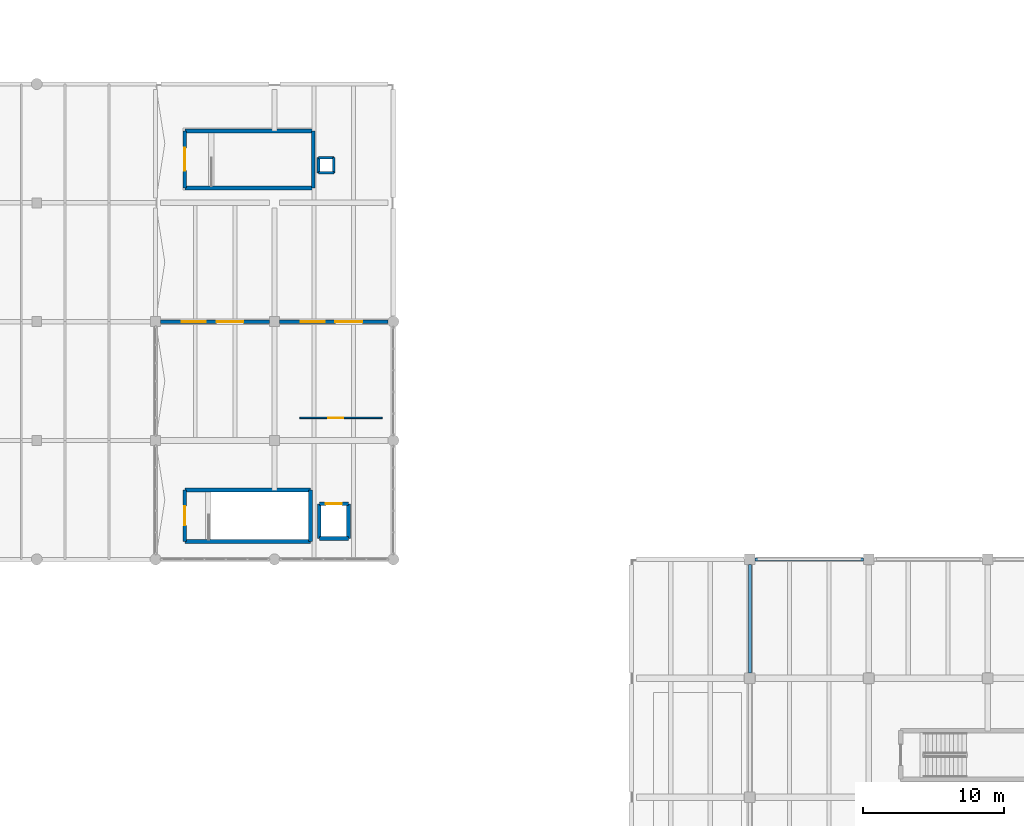
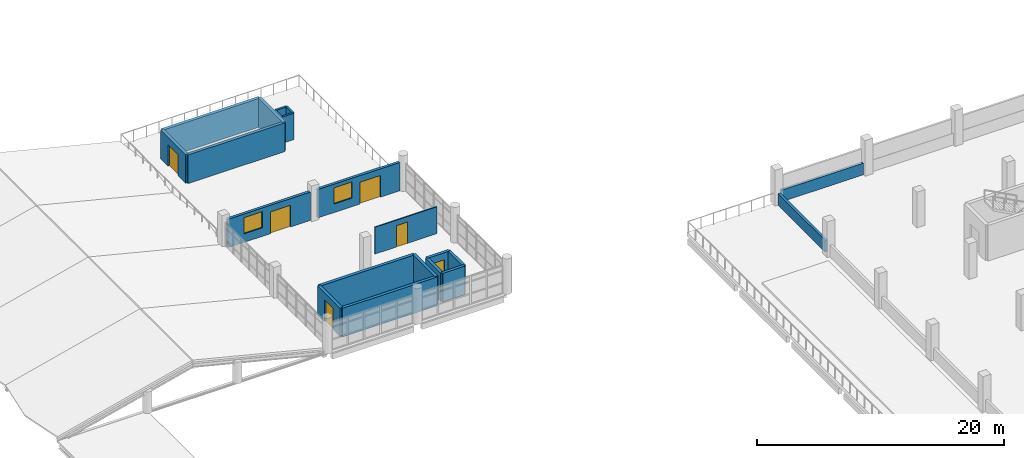
# One storey, part 83 of 95: 21 walls, 6 doors, 2 windows, 8 openings.
"""IFC4 building model written with IfcOpenShell, lengths in metres."""

import ifcopenshell
import ifcopenshell.guid

model = None  # the IFC model being written
_history = None  # IfcOwnerHistory: only IFC2X3 demands one
_inside = {}  # id of a spatial element -> (the spatial element, [elements in it])
_under = {}  # id of a project, library or spatial element -> (it, [spatial elements below it])
_declared = {}  # id of a project -> (the project, [libraries it declares])
_typed = {}  # id of a type object -> (the type object, [elements of that type])
_made_of = {}  # id of a material, layer set ... -> (it, [elements and type objects made of it])


def new_model(schema):
    """Start an empty IFC model of exactly this schema.

    Asked for "IFC4X3", IfcOpenShell would pick the latest addendum, in which some entities
    have other attributes; the version numbers below select the first issue.
    IFC2X3 requires an IfcOwnerHistory on every rooted entity: one is made here for all.
    """
    global model, _history
    if schema == "IFC4X3":
        model = ifcopenshell.file(schema_version=(4, 3, 0, 0))
    else:
        model = ifcopenshell.file(schema=schema)
    _inside.clear()
    _under.clear()
    _declared.clear()
    _typed.clear()
    _made_of.clear()
    _history = None
    if model.schema == "IFC2X3":
        org = make("IfcOrganization", Name="unknown")
        user = make(
            "IfcPersonAndOrganization",
            ThePerson=make("IfcPerson", FamilyName="unknown"),
            TheOrganization=org,
        )
        app = make(
            "IfcApplication",
            ApplicationDeveloper=org,
            Version="unknown",
            ApplicationFullName="unknown",
            ApplicationIdentifier="unknown",
        )
        _history = make(
            "IfcOwnerHistory",
            OwningUser=user,
            OwningApplication=app,
            ChangeAction="ADDED",
            CreationDate=0,
        )
    return model


def make(cls, **values):
    """One entity of the class cls with the attributes given. An attribute that is None is left unset."""
    return model.create_entity(
        cls, **{name: value for name, value in values.items() if value is not None}
    )


def rooted(cls, **values):
    """An entity with a GlobalId (a new one), such as an element, a storey or a relation."""
    return make(cls, GlobalId=ifcopenshell.guid.new(), OwnerHistory=_history, **values)


def si_unit(unit_type, name, prefix=None):
    """IfcSIUnit, for example si_unit("LENGTHUNIT", "METRE", prefix="MILLI")."""
    return make("IfcSIUnit", UnitType=unit_type, Prefix=prefix, Name=name)


def assignment(units):
    """IfcUnitAssignment: the units of a project."""
    return None if units is None else make("IfcUnitAssignment", Units=units)


def point(xyz):
    """IfcCartesianPoint."""
    return None if xyz is None else make("IfcCartesianPoint", Coordinates=xyz)


def direction(xyz):
    """IfcDirection."""
    return None if xyz is None else make("IfcDirection", DirectionRatios=xyz)


def frame(location, z_axis=None, x_axis=None):
    """IfcAxis2Placement3D, a coordinate frame: its origin and axes. An axis left out is left unset."""
    return make(
        "IfcAxis2Placement3D",
        Location=point(location),
        Axis=direction(z_axis),
        RefDirection=direction(x_axis),
    )


def frame_2d(location, x_axis=None):
    """IfcAxis2Placement2D, a coordinate frame in the plane: its origin and x axis."""
    return make(
        "IfcAxis2Placement2D", Location=point(location), RefDirection=direction(x_axis)
    )


def origin():
    """The frame at (0, 0, 0) with its axes left unset."""
    return frame((0.0, 0.0, 0.0))


def place(relative_to, where):
    """IfcLocalPlacement: puts the frame where relative to a parent placement (None: the world)."""
    return make(
        "IfcLocalPlacement", PlacementRelTo=relative_to, RelativePlacement=where
    )


def context(
    kind, dimensions, precision=None, world=None, true_north=None, identifier=None
):
    """IfcGeometricRepresentationContext, for example the 3D "Model" context."""
    return make(
        "IfcGeometricRepresentationContext",
        ContextIdentifier=identifier,
        ContextType=kind,
        CoordinateSpaceDimension=dimensions,
        Precision=precision,
        WorldCoordinateSystem=world,
        TrueNorth=true_north,
    )


def subcontext(parent, identifier, kind, view, scale=None):
    """IfcGeometricRepresentationSubContext, for example "Body" below "Model"."""
    return make(
        "IfcGeometricRepresentationSubContext",
        ContextIdentifier=identifier,
        ContextType=kind,
        ParentContext=parent,
        TargetScale=scale,
        TargetView=view,
    )


def project(units=None, contexts=None):
    """IfcProject with its units and contexts."""
    return rooted(
        "IfcProject",
        Name="project",
        RepresentationContexts=contexts,
        UnitsInContext=assignment(units),
    )


def spatial(cls, under=None, at=None, **own):
    """A site, building, storey or space (cls), placed at a placement, below another one or the project."""
    s = rooted(cls, ObjectPlacement=at, **own)
    if under is not None:
        _under.setdefault(under.id(), (under, []))[1].append(s)
    return s


def profile(cls, at=None, kind="AREA", **sizes):
    """A parametric profile (cls). Its sizes go by their IFC names, for example OverallWidth=200.0."""
    return make(cls, ProfileType=kind, Position=at, **sizes)


def rectangle(**sizes):
    """IfcRectangleProfileDef."""
    return profile("IfcRectangleProfileDef", **sizes)


def extrude(swept, where, along, depth):
    """IfcExtrudedAreaSolid: the profile swept, set in the frame where, extruded along a direction by depth."""
    return make(
        "IfcExtrudedAreaSolid",
        SweptArea=swept,
        Position=where,
        ExtrudedDirection=direction(along),
        Depth=depth,
    )


def shape(context_of_items, identifier, shape_type, items):
    """IfcShapeRepresentation: the items that make up one representation, for example the "Body"."""
    return make(
        "IfcShapeRepresentation",
        ContextOfItems=context_of_items,
        RepresentationIdentifier=identifier,
        RepresentationType=shape_type,
        Items=items,
    )


def material(Name=None, Category=None):
    """IfcMaterial."""
    return make("IfcMaterial", Name=Name, Category=Category)


def layer(
    of_material, thickness, ventilated=None, Name=None, Category=None, Priority=None
):
    """IfcMaterialLayer: one layer of a wall or slab, of a material (None: an air gap)."""
    return make(
        "IfcMaterialLayer",
        Material=of_material,
        LayerThickness=thickness,
        IsVentilated=ventilated,
        Name=Name,
        Category=Category,
        Priority=Priority,
    )


def layer_set(layers, Name=None):
    """IfcMaterialLayerSet."""
    return make("IfcMaterialLayerSet", MaterialLayers=layers, LayerSetName=Name)


def made_of(thing, what):
    """Note that an element or type object is made of a material, layer set ...; save() writes the relation."""
    if what is not None:
        _made_of.setdefault(what.id(), (what, []))[1].append(thing)
    return thing


def type_object(cls, material=None, **own):
    """A type object (cls), such as IfcWallType, which elements share."""
    return made_of(rooted(cls, **own), material)


def element(
    cls,
    number,
    at=None,
    inside=None,
    cuts=None,
    type_object=None,
    material=None,
    context=None,
    identifier="Body",
    shape_type=None,
    held_by="IfcProductDefinitionShape",
    body=None,
    shapes=None,
    **own,
):
    """One element of the class cls, such as IfcWall. Its Tag is "e" and its number.

    at: its placement. inside: the storey or other place that contains it. cuts: it is an
    opening in that element (IfcRelVoidsElement). A single representation is given by context,
    identifier, shape_type and body (its items); several are given by shapes. held_by: the class
    of the entity that holds the representations. save() writes the other relations.
    """
    e = rooted(cls, Tag="e%d" % number, ObjectPlacement=at, **own)
    if body is not None:
        shapes = [shape(context, identifier, shape_type, body)]
    if shapes is not None:
        e.Representation = make(held_by, Representations=shapes)
    if inside is not None:
        _inside.setdefault(inside.id(), (inside, []))[1].append(e)
    if cuts is not None:
        rooted(
            "IfcRelVoidsElement", RelatingBuildingElement=cuts, RelatedOpeningElement=e
        )
    if type_object is not None:
        _typed.setdefault(type_object.id(), (type_object, []))[1].append(e)
    return made_of(e, material)


def fill(opening, filler):
    """IfcRelFillsElement: the door or window that sits in an opening."""
    return rooted(
        "IfcRelFillsElement",
        RelatingOpeningElement=opening,
        RelatedBuildingElement=filler,
    )


def aggregate(whole, parts):
    """IfcRelAggregates: a whole, such as a stair, and the parts it consists of."""
    return rooted("IfcRelAggregates", RelatingObject=whole, RelatedObjects=parts)


def save(model, path):
    """Write the relations noted so far, then the file.

    IfcRelAggregates (storeys below a building ...), IfcRelContainedInSpatialStructure (elements
    in a storey), IfcRelDefinesByType, IfcRelAssociatesMaterial and IfcRelDeclares: one each for
    every whole, place, type object, material and project.
    """
    for whole, parts in _under.values():
        aggregate(whole, parts)
    for where, things in _inside.values():
        rooted(
            "IfcRelContainedInSpatialStructure",
            RelatedElements=things,
            RelatingStructure=where,
        )
    for kind, things in _typed.values():
        rooted("IfcRelDefinesByType", RelatedObjects=things, RelatingType=kind)
    for what, things in _made_of.values():
        rooted("IfcRelAssociatesMaterial", RelatedObjects=things, RelatingMaterial=what)
    for by, libraries in _declared.values():
        rooted("IfcRelDeclares", RelatingContext=by, RelatedDefinitions=libraries)
    model.write(path)


model = new_model("IFC4")

# Units and contexts
model_context = context("Model", 3, precision=1e-05, world=origin(), true_north=direction((0.0, 1.0)))
body_context = subcontext(model_context, "Body", "Model", "MODEL_VIEW")
ifc_project = project(units=[si_unit("LENGTHUNIT", "METRE"), si_unit("AREAUNIT", "SQUARE_METRE"), si_unit("VOLUMEUNIT", "CUBIC_METRE"), si_unit("PLANEANGLEUNIT", "RADIAN"), si_unit("MASSUNIT", "GRAM", prefix="KILO"), si_unit("THERMODYNAMICTEMPERATUREUNIT", "KELVIN"), si_unit("POWERUNIT", "WATT")], contexts=[model_context])

# Site, building, storey
site_placement = place(None, origin())
site = spatial("IfcSite", under=ifc_project, at=site_placement, CompositionType="ELEMENT")
building_placement = place(site_placement, origin())
building = spatial("IfcBuilding", under=site, at=building_placement, Name="Mavoryth Pier Ferry Terminal", CompositionType="ELEMENT")
storey_placement = place(building_placement, frame((0.0, 0.0, 9.60009765625)))
storey = spatial("IfcBuildingStorey", under=building, at=storey_placement, Name="L02", CompositionType="ELEMENT", Elevation=9.60009765625)

# Walls
ifc_material_1 = material(Name="Concrete C35/45", Category="concrete")
ifc_layer_1 = layer(ifc_material_1, 0.260009765625, Name="Concrete C35/45", Category="concrete")
ifc_layer_set_1 = layer_set([ifc_layer_1], Name="Concrete C35/45 - CoreWall-LiftShaft-RC260")
wall_type_1 = type_object("IfcWallType", Name="CoreWall-LiftShaft-RC260", PredefinedType="SHEAR", material=ifc_layer_set_1)
wall_1_placement = place(storey_placement, frame((87.169921875, 73.8701171875, 0.0), z_axis=(0.0, 0.0, 1.0), x_axis=(1.0, 0.0, 0.0)))
element("IfcWall", 1, at=wall_1_placement, inside=storey, type_object=wall_type_1, Name="Interior Wall IW-L02-0097", PredefinedType="SHEAR", context=body_context, shape_type="SweptSolid", body=[
    extrude(rectangle(XDim=2.06005859375, YDim=0.260009765625, at=frame_2d((1.030029296875, 0.0))), origin(), (0.0, 0.0, 1.0), 2.83984375),
])
for number, where, z_axis, x_axis, name in (
    (2, (89.22998046875, 73.8701171875, 0.0), (0.0, 0.0, 1.0), (0.0, 1.0, 0.0), "Interior Wall IW-L02-0098"),
    (3, (87.169921875, 76.330078125, 0.0), (0.0, 0.0, 1.0), (0.0, -1.0, 0.0), "Interior Wall IW-L02-0099"),
):
    element("IfcWall", number, at=place(storey_placement, frame(where, z_axis=z_axis, x_axis=x_axis)), inside=storey, type_object=wall_type_1, Name=name, PredefinedType="SHEAR", context=body_context, shape_type="SweptSolid", body=[
        extrude(rectangle(XDim=2.4599609375, YDim=0.260009765625, at=frame_2d((1.22998046875, 0.0))), origin(), (0.0, 0.0, 1.0), 2.83984375),
    ])

# Wall, opening, door
wall_2_placement = place(storey_placement, frame((87.169921875, 76.330078125, 0.0), z_axis=(0.0, 0.0, 1.0), x_axis=(1.0, 0.0, 0.0)))
wall_2 = element("IfcWall", 4, at=wall_2_placement, inside=storey, type_object=wall_type_1, Name="Interior Wall IW-L02-0100", PredefinedType="SHEAR", context=body_context, shape_type="SweptSolid", body=[
    extrude(rectangle(XDim=2.06005859375, YDim=0.260009765625, at=frame_2d((1.030029296875, 0.0))), origin(), (0.0, 0.0, 1.0), 2.83984375),
])
opening_1_placement = place(wall_2_placement, frame((0.4599609375, 0.0, 0.0)))
opening_1 = element("IfcOpeningElement", 5, at=opening_1_placement, cuts=wall_2, Name="Opening LD02", PredefinedType="OPENING", context=body_context, shape_type="SweptSolid", body=[
    extrude(rectangle(XDim=1.139892578125, YDim=2.139892578125, at=frame_2d((0.56982421875, 1.06982421875))), frame((0.0, 0.139892578125, 0.0), z_axis=(0.0, -1.0, 0.0), x_axis=(1.0, 0.0, 0.0)), (0.0, 0.0, 1.0), 0.280029296875),
])
ifc_material_2 = material(Name="Brushed Stainless Steel Lift Landing Door", Category="steel")
door_type_1 = type_object("IfcDoorType", Name="Door-LiftLanding-1140x2140", OperationType="NOTDEFINED", PredefinedType="DOOR", material=ifc_material_2)
door_1_placement = place(opening_1_placement, origin())
door_1 = element("IfcDoor", 6, at=door_1_placement, inside=storey, type_object=door_type_1, Name="Lift LF05 Landing Door L02", OperationType="DOUBLE_DOOR_SLIDING", OverallHeight=2.139892578125, OverallWidth=1.139892578125, PredefinedType="DOOR", context=body_context, shape_type="SweptSolid", body=[
    extrude(rectangle(XDim=1.139892578125, YDim=2.139892578125, at=frame_2d((0.56982421875, 1.06982421875))), frame((0.0, 0.02490234375, 0.0), z_axis=(0.0, -1.0, 0.0), x_axis=(1.0, 0.0, 0.0)), (0.0, 0.0, 1.0), 0.050048828125),
])
fill(opening_1, door_1)

# Walls
ifc_material_3 = material(Name="Concrete C40/50", Category="concrete")
ifc_layer_2 = layer(ifc_material_3, 0.280029296875, Name="Concrete C40/50", Category="concrete")
ifc_layer_set_2 = layer_set([ifc_layer_2], Name="Concrete C40/50 - CoreWall-Shear-RC280")
wall_type_2 = type_object("IfcWallType", Name="CoreWall-Shear-RC280", PredefinedType="SHEAR", material=ifc_layer_set_2)
for number, where, z_axis, x_axis, name in (
    (7, (77.659912109375, 73.659912109375, 0.0), (0.0, 0.0, 1.0), (1.0, 0.0, 0.0), "Interior Wall IW-L02-0085"),
    (8, (77.659912109375, 77.2900390625, 0.0), (0.0, 0.0, 1.0), (1.0, 0.0, 0.0), "Interior Wall IW-L02-0086"),
):
    element("IfcWall", number, at=place(storey_placement, frame(where, z_axis=z_axis, x_axis=x_axis)), inside=storey, type_object=wall_type_2, Name=name, PredefinedType="SHEAR", context=body_context, shape_type="SweptSolid", body=[
        extrude(rectangle(XDim=8.880126953125, YDim=0.280029296875, at=frame_2d((4.43994140625, 0.0))), origin(), (0.0, 0.0, 1.0), 2.83984375),
    ])

# Wall, opening, door
wall_3_placement = place(storey_placement, frame((77.659912109375, 77.2900390625, 0.0), z_axis=(0.0, 0.0, 1.0), x_axis=(0.0, -1.0, 0.0)))
wall_3 = element("IfcWall", 9, at=wall_3_placement, inside=storey, type_object=wall_type_2, Name="Interior Wall IW-L02-0087", PredefinedType="SHEAR", context=body_context, shape_type="SweptSolid", body=[
    extrude(rectangle(XDim=3.630126953125, YDim=0.280029296875, at=frame_2d((1.81494140625, 0.0))), origin(), (0.0, 0.0, 1.0), 2.83984375),
])
opening_2_placement = place(wall_3_placement, frame((1.135009765625, 0.0, 0.0)))
opening_2 = element("IfcOpeningElement", 10, at=opening_2_placement, cuts=wall_3, Name="Opening ID02-022", PredefinedType="OPENING", context=body_context, shape_type="SweptSolid", body=[
    extrude(rectangle(XDim=1.360107421875, YDim=2.14990234375, at=frame_2d((0.68017578125, 1.074951171875))), frame((0.0, 0.14990234375, 0.0), z_axis=(0.0, -1.0, 0.0), x_axis=(1.0, 0.0, 0.0)), (0.0, 0.0, 1.0), 0.300048828125),
])
ifc_material_4 = material(Name="Painted Galvanised Steel Fire Door", Category="steel")
door_type_2 = type_object("IfcDoorType", Name="Door-StairFire-1360x2150", OperationType="NOTDEFINED", PredefinedType="DOOR", material=ifc_material_4)
door_2_placement = place(opening_2_placement, origin())
door_2 = element("IfcDoor", 11, at=door_2_placement, inside=storey, type_object=door_type_2, Name="Core C2B Stair Exit Door L02", OperationType="SINGLE_SWING_LEFT", OverallHeight=2.14990234375, OverallWidth=1.360107421875, PredefinedType="DOOR", context=body_context, shape_type="SweptSolid", body=[
    extrude(rectangle(XDim=1.360107421875, YDim=2.14990234375, at=frame_2d((0.68017578125, 1.074951171875))), frame((0.0, 0.02490234375, 0.0), z_axis=(0.0, -1.0, 0.0), x_axis=(1.0, 0.0, 0.0)), (0.0, 0.0, 1.0), 0.050048828125),
])
fill(opening_2, door_2)

# Walls
wall_4_placement = place(storey_placement, frame((86.5400390625, 73.659912109375, 0.0), z_axis=(0.0, 0.0, 1.0), x_axis=(0.0, 1.0, 0.0)))
element("IfcWall", 12, at=wall_4_placement, inside=storey, type_object=wall_type_2, Name="Interior Wall IW-L02-0088", PredefinedType="SHEAR", context=body_context, shape_type="SweptSolid", body=[
    extrude(rectangle(XDim=3.630126953125, YDim=0.280029296875, at=frame_2d((1.81494140625, 0.0))), origin(), (0.0, 0.0, 1.0), 2.83984375),
])
for number, where, z_axis, x_axis, name in (
    (13, (77.659912109375, 98.659912109375, 0.0), (0.0, 0.0, 1.0), (1.0, 0.0, 0.0), "Interior Wall IW-L02-0313"),
    (14, (77.659912109375, 102.68994140625, 0.0), (0.0, 0.0, 1.0), (1.0, 0.0, 0.0), "Interior Wall IW-L02-0314"),
):
    element("IfcWall", number, at=place(storey_placement, frame(where, z_axis=z_axis, x_axis=x_axis)), inside=storey, type_object=wall_type_2, Name=name, PredefinedType="SHEAR", context=body_context, shape_type="SweptSolid", body=[
        extrude(rectangle(XDim=9.080078125, YDim=0.280029296875, at=frame_2d((4.5400390625, 0.0))), origin(), (0.0, 0.0, 1.0), 2.83984375),
    ])

# Wall, opening, door
wall_5_placement = place(storey_placement, frame((77.659912109375, 102.68994140625, 0.0), z_axis=(0.0, 0.0, 1.0), x_axis=(0.0, -1.0, 0.0)))
wall_5 = element("IfcWall", 15, at=wall_5_placement, inside=storey, type_object=wall_type_2, Name="Interior Wall IW-L02-0315", PredefinedType="SHEAR", context=body_context, shape_type="SweptSolid", body=[
    extrude(rectangle(XDim=4.030029296875, YDim=0.280029296875, at=frame_2d((2.01513671875, 0.0))), origin(), (0.0, 0.0, 1.0), 2.83984375),
])
opening_3_placement = place(wall_5_placement, frame((1.215087890625, 0.0, 0.0)))
opening_3 = element("IfcOpeningElement", 16, at=opening_3_placement, cuts=wall_5, Name="Opening ED07-079", PredefinedType="OPENING", context=body_context, shape_type="SweptSolid", body=[
    extrude(rectangle(XDim=1.60009765625, YDim=2.10009765625, at=frame_2d((0.800048828125, 1.050048828125))), frame((0.0, 0.14990234375, 0.0), z_axis=(0.0, -1.0, 0.0), x_axis=(1.0, 0.0, 0.0)), (0.0, 0.0, 1.0), 0.300048828125),
])
ifc_material_5 = material(Name="Thermally Broken Anodised Aluminium and Laminated Glass", Category="aluminium")
door_type_3 = type_object("IfcDoorType", Name="ExtDoor-Terrace-1600x2100", OperationType="NOTDEFINED", PredefinedType="DOOR", material=ifc_material_5)
door_3_placement = place(opening_3_placement, origin())
door_3 = element("IfcDoor", 17, at=door_3_placement, inside=storey, type_object=door_type_3, Name="Feature Stair FS3 Concourse Door L02", OperationType="SINGLE_SWING_LEFT", OverallHeight=2.10009765625, OverallWidth=1.60009765625, PredefinedType="DOOR", context=body_context, shape_type="SweptSolid", body=[
    extrude(rectangle(XDim=1.60009765625, YDim=2.10009765625, at=frame_2d((0.800048828125, 1.050048828125))), frame((0.0, 0.02490234375, 0.0), z_axis=(0.0, -1.0, 0.0), x_axis=(1.0, 0.0, 0.0)), (0.0, 0.0, 1.0), 0.050048828125),
])
fill(opening_3, door_3)

# Walls
wall_6_placement = place(storey_placement, frame((86.739990234375, 98.659912109375, 0.0), z_axis=(0.0, 0.0, 1.0), x_axis=(0.0, 1.0, 0.0)))
element("IfcWall", 18, at=wall_6_placement, inside=storey, type_object=wall_type_2, Name="Interior Wall IW-L02-0316", PredefinedType="SHEAR", context=body_context, shape_type="SweptSolid", body=[
    extrude(rectangle(XDim=4.030029296875, YDim=0.280029296875, at=frame_2d((2.01513671875, 0.0))), origin(), (0.0, 0.0, 1.0), 2.83984375),
])
ifc_layer_3 = layer(ifc_material_3, 0.22998046875, Name="Concrete C40/50", Category="concrete")
ifc_layer_set_3 = layer_set([ifc_layer_3], Name="Concrete C40/50 - ExtWall-CrashUpstand-230")
wall_type_3 = type_object("IfcWallType", Name="ExtWall-CrashUpstand-230", PredefinedType="PARAPET", material=ifc_layer_set_3)
for number, where, z_axis, x_axis, name in (
    (19, (117.97509765625, 72.39990234375, 0.0), (0.0, 0.0, 1.0), (1.0, 0.0, 0.0), "Exterior Wall EW-L02-094"),
    (20, (117.60009765625, 64.375, 0.0), (0.0, 0.0, 1.0), (0.0, 1.0, 0.0), "Exterior Wall EW-L02-116"),
):
    element("IfcWall", number, at=place(storey_placement, frame(where, z_axis=z_axis, x_axis=x_axis)), inside=storey, type_object=wall_type_3, Name=name, PredefinedType="PARAPET", context=body_context, shape_type="SweptSolid", body=[
        extrude(rectangle(XDim=7.64990234375, YDim=0.22998046875, at=frame_2d((3.824951171875, 0.0))), origin(), (0.0, 0.0, 1.0), 1.14990234375),
    ])

# Wall, openings, door, window
ifc_material_6 = material(Name="Insulated Pentelic Limestone-Faced Masonry", Category="masonry")
ifc_layer_4 = layer(ifc_material_6, 0.25, Name="Insulated Pentelic Limestone-Faced Masonry", Category="masonry")
ifc_layer_set_4 = layer_set([ifc_layer_4], Name="Insulated Pentelic Limestone-Faced Masonry - ExtWall-Facade-Masonry250")
wall_type_4 = type_object("IfcWallType", Name="ExtWall-Facade-Masonry250", PredefinedType="SOLIDWALL", material=ifc_layer_set_4)
wall_7_placement = place(storey_placement, frame((83.64990234375, 89.199951171875, 0.0), z_axis=(0.0, 0.0, 1.0), x_axis=(-1.0, 0.0, 0.0)))
wall_7 = element("IfcWall", 21, at=wall_7_placement, inside=storey, type_object=wall_type_4, Name="Exterior Wall EW-L02-030", PredefinedType="SOLIDWALL", context=body_context, shape_type="SweptSolid", body=[
    extrude(rectangle(XDim=7.699951171875, YDim=0.25, at=frame_2d((3.85009765625, 0.0))), origin(), (0.0, 0.0, 1.0), 2.804931640625),
])
opening_4_placement = place(wall_7_placement, frame((1.840087890625, 0.0, 0.0)))
opening_4 = element("IfcOpeningElement", 22, at=opening_4_placement, cuts=wall_7, Name="Opening ED06-014", PredefinedType="OPENING", context=body_context, shape_type="SweptSolid", body=[
    extrude(rectangle(XDim=1.89990234375, YDim=2.14990234375, at=frame_2d((0.949951171875, 1.074951171875))), frame((0.0, 0.135009765625, 0.0), z_axis=(0.0, -1.0, 0.0), x_axis=(1.0, 0.0, 0.0)), (0.0, 0.0, 1.0), 0.27001953125),
])
opening_5_placement = place(wall_7_placement, frame((4.489990234375, 0.0, 0.85009765625)))
opening_5 = element("IfcOpeningElement", 23, at=opening_5_placement, cuts=wall_7, Name="Opening WN08", PredefinedType="OPENING", context=body_context, shape_type="SweptSolid", body=[
    extrude(rectangle(XDim=1.699951171875, YDim=1.60009765625, at=frame_2d((0.85009765625, 0.800048828125))), frame((0.0, 0.135009765625, 0.0), z_axis=(0.0, -1.0, 0.0), x_axis=(1.0, 0.0, 0.0)), (0.0, 0.0, 1.0), 0.27001953125),
])
door_type_4 = type_object("IfcDoorType", Name="ExtDoor-Terrace-1900x2150", OperationType="NOTDEFINED", PredefinedType="DOOR", material=ifc_material_5)
door_4_placement = place(opening_4_placement, origin())
door_4 = element("IfcDoor", 24, at=door_4_placement, inside=storey, type_object=door_type_4, Name="Exterior Pedestrian Exit Door ED06-014", OperationType="DOUBLE_DOOR_SINGLE_SWING", OverallHeight=2.14990234375, OverallWidth=1.89990234375, PredefinedType="DOOR", context=body_context, shape_type="SweptSolid", body=[
    extrude(rectangle(XDim=1.89990234375, YDim=2.14990234375, at=frame_2d((0.949951171875, 1.074951171875))), frame((0.0, 0.02490234375, 0.0), z_axis=(0.0, -1.0, 0.0), x_axis=(1.0, 0.0, 0.0)), (0.0, 0.0, 1.0), 0.050048828125),
])
fill(opening_4, door_4)
ifc_material_7 = material(Name="Thermally Broken Aluminium and Low-E Double Glazing", Category="aluminium")
window_type = type_object("IfcWindowType", Name="Win-Harbour-1700x1600", PartitioningType="DOUBLE_PANEL_VERTICAL", PredefinedType="WINDOW", material=ifc_material_7)
window_1_placement = place(opening_5_placement, origin())
window_1 = element("IfcWindow", 25, at=window_1_placement, inside=storey, type_object=window_type, Name="Exterior Window 20", OverallHeight=1.60009765625, OverallWidth=1.699951171875, PartitioningType="DOUBLE_PANEL_VERTICAL", PredefinedType="WINDOW", context=body_context, shape_type="SweptSolid", body=[
    extrude(rectangle(XDim=1.699951171875, YDim=1.60009765625, at=frame_2d((0.85009765625, 0.800048828125))), frame((0.0, 0.030029296875, 0.0), z_axis=(0.0, -1.0, 0.0), x_axis=(1.0, 0.0, 0.0)), (0.0, 0.0, 1.0), 0.06005859375),
])
fill(opening_5, window_1)

wall_8_placement = place(storey_placement, frame((92.010009765625, 89.199951171875, 0.0), z_axis=(0.0, 0.0, 1.0), x_axis=(-1.0, 0.0, 0.0)))
wall_8 = element("IfcWall", 26, at=wall_8_placement, inside=storey, type_object=wall_type_4, Name="Exterior Wall EW-L02-031", PredefinedType="SOLIDWALL", context=body_context, shape_type="SweptSolid", body=[
    extrude(rectangle(XDim=7.659912109375, YDim=0.25, at=frame_2d((3.830078125, 0.0))), origin(), (0.0, 0.0, 1.0), 2.804931640625),
])
opening_6_placement = place(wall_8_placement, frame((1.800048828125, 0.0, 0.0)))
opening_6 = element("IfcOpeningElement", 27, at=opening_6_placement, cuts=wall_8, Name="Opening ED06-015", PredefinedType="OPENING", context=body_context, shape_type="SweptSolid", body=[
    extrude(rectangle(XDim=1.89990234375, YDim=2.14990234375, at=frame_2d((0.949951171875, 1.074951171875))), frame((0.0, 0.135009765625, 0.0), z_axis=(0.0, -1.0, 0.0), x_axis=(1.0, 0.0, 0.0)), (0.0, 0.0, 1.0), 0.27001953125),
])
opening_7_placement = place(wall_8_placement, frame((4.449951171875, 0.0, 0.85009765625)))
opening_7 = element("IfcOpeningElement", 28, at=opening_7_placement, cuts=wall_8, Name="Opening WN08", PredefinedType="OPENING", context=body_context, shape_type="SweptSolid", body=[
    extrude(rectangle(XDim=1.699951171875, YDim=1.60009765625, at=frame_2d((0.85009765625, 0.800048828125))), frame((0.0, 0.135009765625, 0.0), z_axis=(0.0, -1.0, 0.0), x_axis=(1.0, 0.0, 0.0)), (0.0, 0.0, 1.0), 0.27001953125),
])
door_5_placement = place(opening_6_placement, origin())
door_5 = element("IfcDoor", 29, at=door_5_placement, inside=storey, type_object=door_type_4, Name="Exterior Pedestrian Exit Door ED06-015", OperationType="DOUBLE_DOOR_SINGLE_SWING", OverallHeight=2.14990234375, OverallWidth=1.89990234375, PredefinedType="DOOR", context=body_context, shape_type="SweptSolid", body=[
    extrude(rectangle(XDim=1.89990234375, YDim=2.14990234375, at=frame_2d((0.949951171875, 1.074951171875))), frame((0.0, 0.02490234375, 0.0), z_axis=(0.0, -1.0, 0.0), x_axis=(1.0, 0.0, 0.0)), (0.0, 0.0, 1.0), 0.050048828125),
])
fill(opening_6, door_5)
window_2_placement = place(opening_7_placement, origin())
window_2 = element("IfcWindow", 30, at=window_2_placement, inside=storey, type_object=window_type, Name="Exterior Window 21", OverallHeight=1.60009765625, OverallWidth=1.699951171875, PartitioningType="DOUBLE_PANEL_VERTICAL", PredefinedType="WINDOW", context=body_context, shape_type="SweptSolid", body=[
    extrude(rectangle(XDim=1.699951171875, YDim=1.60009765625, at=frame_2d((0.85009765625, 0.800048828125))), frame((0.0, 0.030029296875, 0.0), z_axis=(0.0, -1.0, 0.0), x_axis=(1.0, 0.0, 0.0)), (0.0, 0.0, 1.0), 0.06005859375),
])
fill(opening_7, window_2)

# Walls
ifc_material_8 = material(Name="Autoclaved Aerated Concrete Blockwork", Category="masonry")
ifc_layer_5 = layer(ifc_material_8, 0.179931640625, Name="Autoclaved Aerated Concrete Blockwork", Category="masonry")
ifc_layer_set_5 = layer_set([ifc_layer_5], Name="Autoclaved Aerated Concrete Blockwork - IntWall-PlantRated-180")
wall_type_5 = type_object("IfcWallType", Name="IntWall-PlantRated-180", PredefinedType="SOLIDWALL", material=ifc_layer_set_5)
wall_9_placement = place(storey_placement, frame((87.110107421875, 99.7099609375, 0.0), z_axis=(0.0, 0.0, 1.0), x_axis=(1.0, 0.0, 0.0)))
element("IfcWall", 31, at=wall_9_placement, inside=storey, type_object=wall_type_5, Name="Interior Wall IW-L02-0381", PredefinedType="SOLIDWALL", context=body_context, shape_type="SweptSolid", body=[
    extrude(rectangle(XDim=1.079833984375, YDim=0.179931640625, at=frame_2d((0.5400390625, 0.0))), origin(), (0.0, 0.0, 1.0), 2.599853515625),
])
wall_10_placement = place(storey_placement, frame((88.18994140625, 99.7099609375, 0.0), z_axis=(0.0, 0.0, 1.0), x_axis=(0.0, 1.0, 0.0)))
element("IfcWall", 32, at=wall_10_placement, inside=storey, type_object=wall_type_5, Name="Interior Wall IW-L02-0382", PredefinedType="SOLIDWALL", context=body_context, shape_type="SweptSolid", body=[
    extrude(rectangle(XDim=1.080078125, YDim=0.179931640625, at=frame_2d((0.5400390625, 0.0))), origin(), (0.0, 0.0, 1.0), 2.599853515625),
])
wall_11_placement = place(storey_placement, frame((88.18994140625, 100.7900390625, 0.0), z_axis=(0.0, 0.0, 1.0), x_axis=(-1.0, 0.0, 0.0)))
element("IfcWall", 33, at=wall_11_placement, inside=storey, type_object=wall_type_5, Name="Interior Wall IW-L02-0383", PredefinedType="SOLIDWALL", context=body_context, shape_type="SweptSolid", body=[
    extrude(rectangle(XDim=1.079833984375, YDim=0.179931640625, at=frame_2d((0.5400390625, 0.0))), origin(), (0.0, 0.0, 1.0), 2.599853515625),
])
wall_12_placement = place(storey_placement, frame((87.110107421875, 100.7900390625, 0.0), z_axis=(0.0, 0.0, 1.0), x_axis=(0.0, -1.0, 0.0)))
element("IfcWall", 34, at=wall_12_placement, inside=storey, type_object=wall_type_5, Name="Interior Wall IW-L02-0384", PredefinedType="SOLIDWALL", context=body_context, shape_type="SweptSolid", body=[
    extrude(rectangle(XDim=1.080078125, YDim=0.179931640625, at=frame_2d((0.5400390625, 0.0))), origin(), (0.0, 0.0, 1.0), 2.599853515625),
])

# Wall, opening, door
ifc_material_9 = material(Name="Moisture-Resistant Cement-Board Partition")
ifc_layer_6 = layer(ifc_material_9, 0.10009765625, Name="Moisture-Resistant Cement-Board Partition")
ifc_layer_set_6 = layer_set([ifc_layer_6], Name="Moisture-Resistant Cement-Board Partition - Part-WetArea-100")
wall_type_6 = type_object("IfcWallType", Name="Part-WetArea-100", PredefinedType="PARTITIONING", material=ifc_layer_set_6)
wall_13_placement = place(storey_placement, frame((85.800048828125, 82.39990234375, 0.0), z_axis=(0.0, 0.0, 1.0), x_axis=(1.0, 0.0, 0.0)))
wall_13 = element("IfcWall", 35, at=wall_13_placement, inside=storey, type_object=wall_type_6, Name="Interior Wall IW-L02-0428", PredefinedType="PARTITIONING", context=body_context, shape_type="SweptSolid", body=[
    extrude(rectangle(XDim=5.800048828125, YDim=0.10009765625, at=frame_2d((2.89990234375, 0.0))), origin(), (0.0, 0.0, 1.0), 2.64990234375),
])
opening_8_placement = place(wall_13_placement, frame((2.0, 0.0, 0.0)))
opening_8 = element("IfcOpeningElement", 36, at=opening_8_placement, cuts=wall_13, Name="Opening ID11-096", PredefinedType="OPENING", context=body_context, shape_type="SweptSolid", body=[
    extrude(rectangle(XDim=1.06005859375, YDim=2.10009765625, at=frame_2d((0.530029296875, 1.050048828125))), frame((0.0, 0.06005859375, 0.0), z_axis=(0.0, -1.0, 0.0), x_axis=(1.0, 0.0, 0.0)), (0.0, 0.0, 1.0), 0.1201171875),
])
ifc_material_10 = material(Name="High-Pressure Laminate Accessible Door")
door_type_5 = type_object("IfcDoorType", Name="Door-AccessibleWC-1060x2100", OperationType="NOTDEFINED", PredefinedType="DOOR", material=ifc_material_10)
door_6_placement = place(opening_8_placement, origin())
door_6 = element("IfcDoor", 37, at=door_6_placement, inside=storey, type_object=door_type_5, Name="Promenade Accessible WC Door", OperationType="SINGLE_SWING_RIGHT", OverallHeight=2.10009765625, OverallWidth=1.06005859375, PredefinedType="DOOR", context=body_context, shape_type="SweptSolid", body=[
    extrude(rectangle(XDim=1.06005859375, YDim=2.10009765625, at=frame_2d((0.530029296875, 1.050048828125))), frame((0.0, 0.02490234375, 0.0), z_axis=(0.0, -1.0, 0.0), x_axis=(1.0, 0.0, 0.0)), (0.0, 0.0, 1.0), 0.050048828125),
])
fill(opening_8, door_6)

save(model, "model.ifc")
